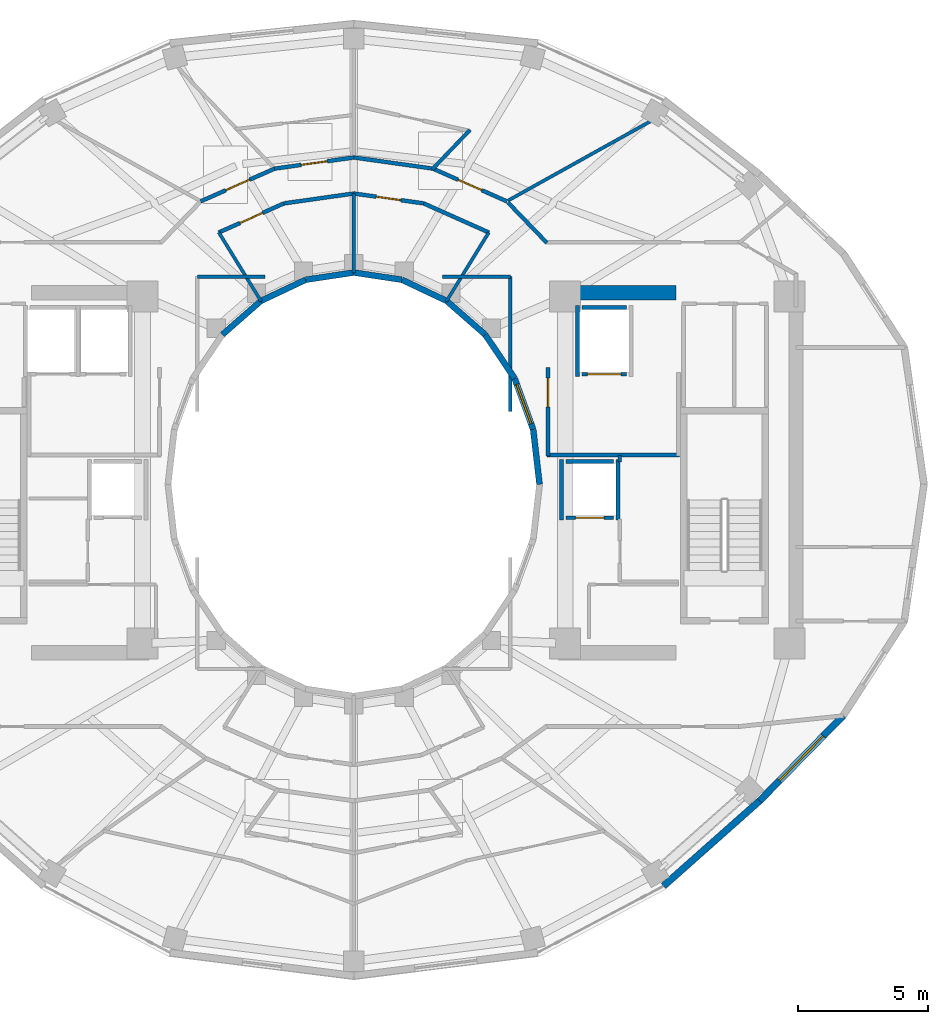
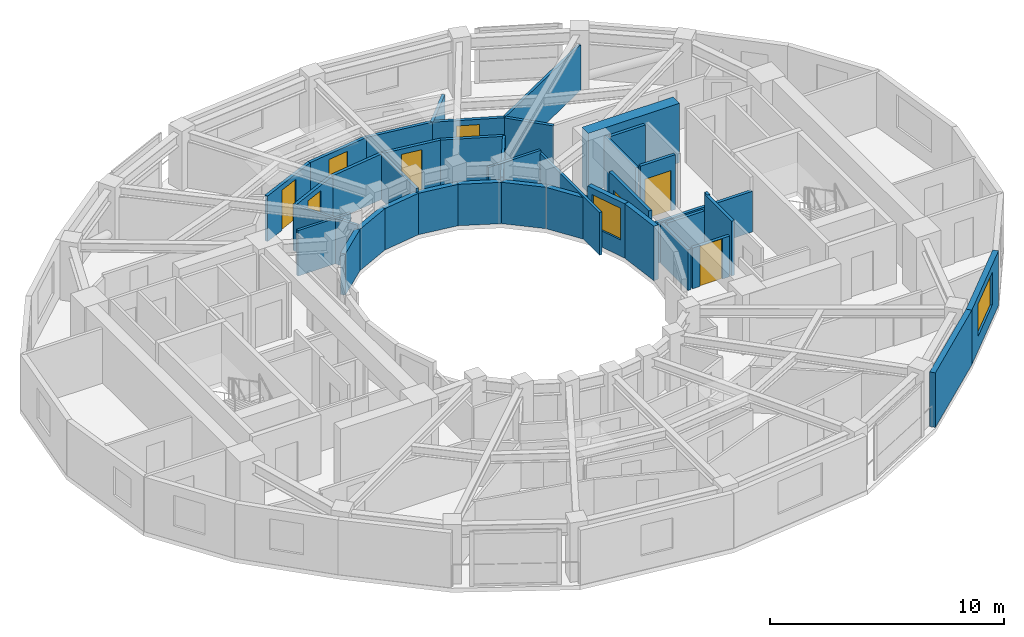
# One storey, part 12 of 16: 39 walls, 8 doors, 2 windows, 10 openings.
"""IFC4 building model written with IfcOpenShell, lengths in metres."""

import ifcopenshell
import ifcopenshell.guid

model = None  # the IFC model being written
_history = None  # IfcOwnerHistory: only IFC2X3 demands one
_inside = {}  # id of a spatial element -> (the spatial element, [elements in it])
_under = {}  # id of a project, library or spatial element -> (it, [spatial elements below it])
_declared = {}  # id of a project -> (the project, [libraries it declares])
_typed = {}  # id of a type object -> (the type object, [elements of that type])
_made_of = {}  # id of a material, layer set ... -> (it, [elements and type objects made of it])


def new_model(schema):
    """Start an empty IFC model of exactly this schema.

    Asked for "IFC4X3", IfcOpenShell would pick the latest addendum, in which some entities
    have other attributes; the version numbers below select the first issue.
    IFC2X3 requires an IfcOwnerHistory on every rooted entity: one is made here for all.
    """
    global model, _history
    if schema == "IFC4X3":
        model = ifcopenshell.file(schema_version=(4, 3, 0, 0))
    else:
        model = ifcopenshell.file(schema=schema)
    _inside.clear()
    _under.clear()
    _declared.clear()
    _typed.clear()
    _made_of.clear()
    _history = None
    if model.schema == "IFC2X3":
        org = make("IfcOrganization", Name="unknown")
        user = make(
            "IfcPersonAndOrganization",
            ThePerson=make("IfcPerson", FamilyName="unknown"),
            TheOrganization=org,
        )
        app = make(
            "IfcApplication",
            ApplicationDeveloper=org,
            Version="unknown",
            ApplicationFullName="unknown",
            ApplicationIdentifier="unknown",
        )
        _history = make(
            "IfcOwnerHistory",
            OwningUser=user,
            OwningApplication=app,
            ChangeAction="ADDED",
            CreationDate=0,
        )
    return model


def make(cls, **values):
    """One entity of the class cls with the attributes given. An attribute that is None is left unset."""
    return model.create_entity(
        cls, **{name: value for name, value in values.items() if value is not None}
    )


def rooted(cls, **values):
    """An entity with a GlobalId (a new one), such as an element, a storey or a relation."""
    return make(cls, GlobalId=ifcopenshell.guid.new(), OwnerHistory=_history, **values)


def si_unit(unit_type, name, prefix=None):
    """IfcSIUnit, for example si_unit("LENGTHUNIT", "METRE", prefix="MILLI")."""
    return make("IfcSIUnit", UnitType=unit_type, Prefix=prefix, Name=name)


def assignment(units):
    """IfcUnitAssignment: the units of a project."""
    return None if units is None else make("IfcUnitAssignment", Units=units)


def point(xyz):
    """IfcCartesianPoint."""
    return None if xyz is None else make("IfcCartesianPoint", Coordinates=xyz)


def direction(xyz):
    """IfcDirection."""
    return None if xyz is None else make("IfcDirection", DirectionRatios=xyz)


def frame(location, z_axis=None, x_axis=None):
    """IfcAxis2Placement3D, a coordinate frame: its origin and axes. An axis left out is left unset."""
    return make(
        "IfcAxis2Placement3D",
        Location=point(location),
        Axis=direction(z_axis),
        RefDirection=direction(x_axis),
    )


def frame_2d(location, x_axis=None):
    """IfcAxis2Placement2D, a coordinate frame in the plane: its origin and x axis."""
    return make(
        "IfcAxis2Placement2D", Location=point(location), RefDirection=direction(x_axis)
    )


def origin():
    """The frame at (0, 0, 0) with its axes left unset."""
    return frame((0.0, 0.0, 0.0))


def place(relative_to, where):
    """IfcLocalPlacement: puts the frame where relative to a parent placement (None: the world)."""
    return make(
        "IfcLocalPlacement", PlacementRelTo=relative_to, RelativePlacement=where
    )


def context(
    kind, dimensions, precision=None, world=None, true_north=None, identifier=None
):
    """IfcGeometricRepresentationContext, for example the 3D "Model" context."""
    return make(
        "IfcGeometricRepresentationContext",
        ContextIdentifier=identifier,
        ContextType=kind,
        CoordinateSpaceDimension=dimensions,
        Precision=precision,
        WorldCoordinateSystem=world,
        TrueNorth=true_north,
    )


def subcontext(parent, identifier, kind, view, scale=None):
    """IfcGeometricRepresentationSubContext, for example "Body" below "Model"."""
    return make(
        "IfcGeometricRepresentationSubContext",
        ContextIdentifier=identifier,
        ContextType=kind,
        ParentContext=parent,
        TargetScale=scale,
        TargetView=view,
    )


def project(units=None, contexts=None):
    """IfcProject with its units and contexts."""
    return rooted(
        "IfcProject",
        Name="project",
        RepresentationContexts=contexts,
        UnitsInContext=assignment(units),
    )


def spatial(cls, under=None, at=None, **own):
    """A site, building, storey or space (cls), placed at a placement, below another one or the project."""
    s = rooted(cls, ObjectPlacement=at, **own)
    if under is not None:
        _under.setdefault(under.id(), (under, []))[1].append(s)
    return s


def profile(cls, at=None, kind="AREA", **sizes):
    """A parametric profile (cls). Its sizes go by their IFC names, for example OverallWidth=200.0."""
    return make(cls, ProfileType=kind, Position=at, **sizes)


def rectangle(**sizes):
    """IfcRectangleProfileDef."""
    return profile("IfcRectangleProfileDef", **sizes)


def extrude(swept, where, along, depth):
    """IfcExtrudedAreaSolid: the profile swept, set in the frame where, extruded along a direction by depth."""
    return make(
        "IfcExtrudedAreaSolid",
        SweptArea=swept,
        Position=where,
        ExtrudedDirection=direction(along),
        Depth=depth,
    )


def shape(context_of_items, identifier, shape_type, items):
    """IfcShapeRepresentation: the items that make up one representation, for example the "Body"."""
    return make(
        "IfcShapeRepresentation",
        ContextOfItems=context_of_items,
        RepresentationIdentifier=identifier,
        RepresentationType=shape_type,
        Items=items,
    )


def material(Name=None, Category=None):
    """IfcMaterial."""
    return make("IfcMaterial", Name=Name, Category=Category)


def layer(
    of_material, thickness, ventilated=None, Name=None, Category=None, Priority=None
):
    """IfcMaterialLayer: one layer of a wall or slab, of a material (None: an air gap)."""
    return make(
        "IfcMaterialLayer",
        Material=of_material,
        LayerThickness=thickness,
        IsVentilated=ventilated,
        Name=Name,
        Category=Category,
        Priority=Priority,
    )


def layer_set(layers, Name=None):
    """IfcMaterialLayerSet."""
    return make("IfcMaterialLayerSet", MaterialLayers=layers, LayerSetName=Name)


def made_of(thing, what):
    """Note that an element or type object is made of a material, layer set ...; save() writes the relation."""
    if what is not None:
        _made_of.setdefault(what.id(), (what, []))[1].append(thing)
    return thing


def type_object(cls, material=None, **own):
    """A type object (cls), such as IfcWallType, which elements share."""
    return made_of(rooted(cls, **own), material)


def element(
    cls,
    number,
    at=None,
    inside=None,
    cuts=None,
    type_object=None,
    material=None,
    context=None,
    identifier="Body",
    shape_type=None,
    held_by="IfcProductDefinitionShape",
    body=None,
    shapes=None,
    **own,
):
    """One element of the class cls, such as IfcWall. Its Tag is "e" and its number.

    at: its placement. inside: the storey or other place that contains it. cuts: it is an
    opening in that element (IfcRelVoidsElement). A single representation is given by context,
    identifier, shape_type and body (its items); several are given by shapes. held_by: the class
    of the entity that holds the representations. save() writes the other relations.
    """
    e = rooted(cls, Tag="e%d" % number, ObjectPlacement=at, **own)
    if body is not None:
        shapes = [shape(context, identifier, shape_type, body)]
    if shapes is not None:
        e.Representation = make(held_by, Representations=shapes)
    if inside is not None:
        _inside.setdefault(inside.id(), (inside, []))[1].append(e)
    if cuts is not None:
        rooted(
            "IfcRelVoidsElement", RelatingBuildingElement=cuts, RelatedOpeningElement=e
        )
    if type_object is not None:
        _typed.setdefault(type_object.id(), (type_object, []))[1].append(e)
    return made_of(e, material)


def fill(opening, filler):
    """IfcRelFillsElement: the door or window that sits in an opening."""
    return rooted(
        "IfcRelFillsElement",
        RelatingOpeningElement=opening,
        RelatedBuildingElement=filler,
    )


def aggregate(whole, parts):
    """IfcRelAggregates: a whole, such as a stair, and the parts it consists of."""
    return rooted("IfcRelAggregates", RelatingObject=whole, RelatedObjects=parts)


def save(model, path):
    """Write the relations noted so far, then the file.

    IfcRelAggregates (storeys below a building ...), IfcRelContainedInSpatialStructure (elements
    in a storey), IfcRelDefinesByType, IfcRelAssociatesMaterial and IfcRelDeclares: one each for
    every whole, place, type object, material and project.
    """
    for whole, parts in _under.values():
        aggregate(whole, parts)
    for where, things in _inside.values():
        rooted(
            "IfcRelContainedInSpatialStructure",
            RelatedElements=things,
            RelatingStructure=where,
        )
    for kind, things in _typed.values():
        rooted("IfcRelDefinesByType", RelatedObjects=things, RelatingType=kind)
    for what, things in _made_of.values():
        rooted("IfcRelAssociatesMaterial", RelatedObjects=things, RelatingMaterial=what)
    for by, libraries in _declared.values():
        rooted("IfcRelDeclares", RelatingContext=by, RelatedDefinitions=libraries)
    model.write(path)


model = new_model("IFC4")

# Units and contexts
model_context = context("Model", 3, precision=1e-05, world=origin(), true_north=direction((0.0, 1.0)))
body_context = subcontext(model_context, "Body", "Model", "MODEL_VIEW")
ifc_project = project(units=[si_unit("LENGTHUNIT", "METRE"), si_unit("AREAUNIT", "SQUARE_METRE"), si_unit("VOLUMEUNIT", "CUBIC_METRE"), si_unit("PLANEANGLEUNIT", "RADIAN"), si_unit("MASSUNIT", "GRAM", prefix="KILO")], contexts=[model_context])

# Site, building, storey
site_placement = place(None, origin())
site = spatial("IfcSite", under=ifc_project, at=site_placement, CompositionType="ELEMENT")
building_placement = place(site_placement, origin())
building = spatial("IfcBuilding", under=site, at=building_placement, Name="Solvane Sanctuary Tower", CompositionType="ELEMENT")
storey_placement = place(building_placement, frame((0.0, 0.0, 226.39990234375)))
storey = spatial("IfcBuildingStorey", under=building, at=storey_placement, Name="L69", CompositionType="ELEMENT", Elevation=226.39990234375)

# Walls
ifc_material_1 = material(Name="Concrete C50/60", Category="concrete")
ifc_layer_1 = layer(ifc_material_1, 0.550048828125, Name="Concrete C50/60")
ifc_layer_set_1 = layer_set([ifc_layer_1], Name="Concrete C50/60")
wall_type_1 = type_object("IfcWallType", Name="Wall W-CORE-550", PredefinedType="SHEAR", material=ifc_layer_set_1)
wall_1_placement = place(storey_placement, frame((39.85009765625, 30.35009765625, 0.0), z_axis=(0.0, 0.0, 1.0), x_axis=(1.0, 0.0, 0.0)))
element("IfcWall", 1, at=wall_1_placement, inside=storey, type_object=wall_type_1, Name="L69 Core Shear Wall EC-N", PredefinedType="SHEAR", context=body_context, shape_type="SweptSolid", body=[
    extrude(rectangle(XDim=4.5, YDim=0.550048828125, at=frame_2d((2.25, 0.0))), origin(), (0.0, 0.0, 1.0), 3.10009765625),
])
ifc_material_2 = material(Name="Acoustic Gypsum Partition Board")
ifc_layer_2 = layer(ifc_material_2, 0.14990234375, Name="Acoustic Gypsum Partition Board")
ifc_layer_set_2 = layer_set([ifc_layer_2], Name="Acoustic Gypsum Partition Board")
wall_type_2 = type_object("IfcWallType", Name="Wall W-CORR-150", PredefinedType="PARTITIONING", material=ifc_layer_set_2)
wall_2_placement = place(storey_placement, frame((39.39990234375, 24.1201171875, 0.0), z_axis=(0.0, 0.0, 1.0), x_axis=(1.0, 0.0, 0.0)))
element("IfcWall", 2, at=wall_2_placement, inside=storey, type_object=wall_type_2, Name="L69 East Firefighting Lobby South Wall", PredefinedType="PARTITIONING", context=body_context, shape_type="SweptSolid", body=[
    extrude(rectangle(XDim=5.080078125, YDim=0.14990234375, at=frame_2d((2.5400390625, 0.0))), origin(), (0.0, 0.0, 1.0), 2.1201171875),
])

# Wall, opening, door
wall_3_placement = place(storey_placement, frame((39.449951171875, 24.080078125, 0.0), z_axis=(0.0, 0.0, 1.0), x_axis=(0.0, 1.0, 0.0)))
wall_3 = element("IfcWall", 3, at=wall_3_placement, inside=storey, type_object=wall_type_2, Name="L69 East Firefighting Lobby West Wall", PredefinedType="PARTITIONING", context=body_context, shape_type="SweptSolid", body=[
    extrude(rectangle(XDim=3.39990234375, YDim=0.14990234375, at=frame_2d((1.699951171875, 0.0))), origin(), (0.0, 0.0, 1.0), 2.85498046875),
])
opening_1_placement = place(wall_3_placement, frame((1.893798828125, 0.0, 0.0)))
opening_1 = element("IfcOpeningElement", 4, at=opening_1_placement, cuts=wall_3, Name="Opening D-L69-04", PredefinedType="OPENING", context=body_context, shape_type="SweptSolid", body=[
    extrude(rectangle(XDim=1.10009765625, YDim=2.10009765625, at=frame_2d((0.550048828125, 1.050048828125))), frame((0.0, 0.0849609375, 0.0), z_axis=(0.0, -1.0, 0.0), x_axis=(1.0, 0.0, 0.0)), (0.0, 0.0, 1.0), 0.169921875),
])
ifc_material_3 = material(Name="Architectural Stainless Steel 316", Category="steel")
door_type_1 = type_object("IfcDoorType", Name="Door D-FFL", OperationType="NOTDEFINED", PredefinedType="DOOR", material=ifc_material_3)
door_1_placement = place(opening_1_placement, origin())
door_1 = element("IfcDoor", 5, at=door_1_placement, inside=storey, type_object=door_type_1, Name="L69 East Firefighting Lobby Fire Door", OperationType="SINGLE_SWING_LEFT", OverallHeight=2.10009765625, OverallWidth=1.10009765625, PredefinedType="DOOR", context=body_context, shape_type="SweptSolid", body=[
    extrude(rectangle(XDim=1.10009765625, YDim=2.10009765625, at=frame_2d((0.550048828125, 1.050048828125))), frame((0.0, 0.02490234375, 0.0), z_axis=(0.0, -1.0, 0.0), x_axis=(1.0, 0.0, 0.0)), (0.0, 0.0, 1.0), 0.050048828125),
])
fill(opening_1, door_1)

# Wall
wall_4_placement = place(storey_placement, frame((37.181396484375, 32.65234375, 0.0), z_axis=(0.0, 0.0, 1.0), x_axis=(-0.913120130558, 0.407690602257, 0.0)))
element("IfcWall", 6, at=wall_4_placement, inside=storey, type_object=wall_type_2, Name="L69 Light-Well Alcove Corridor Wall 1", PredefinedType="PARTITIONING", context=body_context, shape_type="SweptSolid", body=[
    extrude(rectangle(XDim=2.74267578125, YDim=0.14990234375, at=frame_2d((1.371337890625, 0.0))), origin(), (0.0, 0.0, 1.0), 2.3759765625),
])

# Wall, opening, door
wall_5_placement = place(storey_placement, frame((34.680419921875, 33.76953125, 0.0), z_axis=(0.0, 0.0, 1.0), x_axis=(-0.990132151456, 0.140136799779, 0.0)))
wall_5 = element("IfcWall", 7, at=wall_5_placement, inside=storey, type_object=wall_type_2, Name="L69 Light-Well Alcove Corridor Wall 1", PredefinedType="PARTITIONING", context=body_context, shape_type="SweptSolid", body=[
    extrude(rectangle(XDim=2.71435546875, YDim=0.14990234375, at=frame_2d((1.357177734375, 0.0))), origin(), (0.0, 0.0, 1.0), 2.3759765625),
])
opening_2_placement = place(wall_5_placement, frame((0.882080078125, 0.0, 0.0)))
opening_2 = element("IfcOpeningElement", 8, at=opening_2_placement, cuts=wall_5, Name="Opening D-L69-13", PredefinedType="OPENING", context=body_context, shape_type="SweptSolid", body=[
    extrude(rectangle(XDim=0.949951171875, YDim=2.10009765625, at=frame_2d((0.47509765625, 1.050048828125))), frame((0.0, 0.0849609375, 0.0), z_axis=(0.0, -1.0, 0.0), x_axis=(1.0, 0.0, 0.0)), (0.0, 0.0, 1.0), 0.169921875),
])
ifc_material_4 = material(Name="Engineered Tropical Hardwood", Category="wood")
door_type_2 = type_object("IfcDoorType", Name="Door D-ROOM-950", OperationType="NOTDEFINED", PredefinedType="DOOR", material=ifc_material_4)
door_2_placement = place(opening_2_placement, origin())
door_2 = element("IfcDoor", 9, at=door_2_placement, inside=storey, type_object=door_type_2, Name="L69 Light-Well Alcove Door 1", OperationType="SINGLE_SWING_RIGHT", OverallHeight=2.10009765625, OverallWidth=0.949951171875, PredefinedType="DOOR", context=body_context, shape_type="SweptSolid", body=[
    extrude(rectangle(XDim=0.949951171875, YDim=2.10009765625, at=frame_2d((0.47509765625, 1.050048828125))), frame((0.0, 0.02490234375, 0.0), z_axis=(0.0, -1.0, 0.0), x_axis=(1.0, 0.0, 0.0)), (0.0, 0.0, 1.0), 0.050048828125),
])
fill(opening_2, door_2)

# Wall
wall_6_placement = place(storey_placement, frame((32.007080078125, 34.14990234375, 0.0), z_axis=(0.0, 0.0, 1.0), x_axis=(-0.990132151456, -0.140136799779, 0.0)))
element("IfcWall", 10, at=wall_6_placement, inside=storey, type_object=wall_type_2, Name="L69 Light-Well Alcove Corridor Wall 2", PredefinedType="PARTITIONING", context=body_context, shape_type="SweptSolid", body=[
    extrude(rectangle(XDim=2.71435546875, YDim=0.14990234375, at=frame_2d((1.357177734375, 0.0))), origin(), (0.0, 0.0, 1.0), 2.3759765625),
])

# Wall, opening, door
wall_7_placement = place(storey_placement, frame((29.322998046875, 33.7705078125, 0.0), z_axis=(0.0, 0.0, 1.0), x_axis=(-0.913120130558, -0.407690602257, 0.0)))
wall_7 = element("IfcWall", 11, at=wall_7_placement, inside=storey, type_object=wall_type_2, Name="L69 Light-Well Alcove Corridor Wall 2", PredefinedType="PARTITIONING", context=body_context, shape_type="SweptSolid", body=[
    extrude(rectangle(XDim=2.74267578125, YDim=0.14990234375, at=frame_2d((1.371337890625, 0.0))), origin(), (0.0, 0.0, 1.0), 2.3759765625),
])
opening_3_placement = place(wall_7_placement, frame((0.896240234375, 0.0, 0.0)))
opening_3 = element("IfcOpeningElement", 12, at=opening_3_placement, cuts=wall_7, Name="Opening D-L69-14", PredefinedType="OPENING", context=body_context, shape_type="SweptSolid", body=[
    extrude(rectangle(XDim=0.949951171875, YDim=2.10009765625, at=frame_2d((0.47509765625, 1.050048828125))), frame((0.0, 0.0849609375, 0.0), z_axis=(0.0, -1.0, 0.0), x_axis=(1.0, 0.0, 0.0)), (0.0, 0.0, 1.0), 0.169921875),
])
door_3_placement = place(opening_3_placement, origin())
door_3 = element("IfcDoor", 13, at=door_3_placement, inside=storey, type_object=door_type_2, Name="L69 Light-Well Alcove Door 2", OperationType="SINGLE_SWING_LEFT", OverallHeight=2.10009765625, OverallWidth=0.949951171875, PredefinedType="DOOR", context=body_context, shape_type="SweptSolid", body=[
    extrude(rectangle(XDim=0.949951171875, YDim=2.10009765625, at=frame_2d((0.47509765625, 1.050048828125))), frame((0.0, 0.02490234375, 0.0), z_axis=(0.0, -1.0, 0.0), x_axis=(1.0, 0.0, 0.0)), (0.0, 0.0, 1.0), 0.050048828125),
])
fill(opening_3, door_3)

# Walls
wall_8_placement = place(storey_placement, frame((37.9033203125, 33.811767578125, 0.0), z_axis=(0.0, 0.0, 1.0), x_axis=(0.694032962553, -0.719943224768, 0.0)))
element("IfcWall", 14, at=wall_8_placement, inside=storey, type_object=wall_type_2, Name="L69 NE Corner Throat Wall", PredefinedType="PARTITIONING", context=body_context, shape_type="SweptSolid", body=[
    extrude(rectangle(XDim=2.15771484375, YDim=0.14990234375, at=frame_2d((1.078857421875, 0.0))), origin(), (0.0, 0.0, 1.0), 2.3759765625),
])
wall_9_placement = place(storey_placement, frame((35.08544921875, 35.09619140625, 0.0), z_axis=(0.0, 0.0, 1.0), x_axis=(-0.990254086283, 0.139272555084, 0.0)))
element("IfcWall", 15, at=wall_9_placement, inside=storey, type_object=wall_type_2, Name="L69 En-suite Inner Wall N1", PredefinedType="PARTITIONING", context=body_context, shape_type="SweptSolid", body=[
    extrude(rectangle(XDim=3.165771484375, YDim=0.14990234375, at=frame_2d((1.5830078125, 0.0))), origin(), (0.0, 0.0, 1.0), 2.3759765625),
])

# Wall, opening, door
wall_10_placement = place(storey_placement, frame((37.8720703125, 33.846923828125, 0.0), z_axis=(0.0, 0.0, 1.0), x_axis=(-0.914490094652, 0.40460828808, 0.0)))
wall_10 = element("IfcWall", 16, at=wall_10_placement, inside=storey, type_object=wall_type_2, Name="L69 Unit Corridor Wall N1", PredefinedType="PARTITIONING", context=body_context, shape_type="SweptSolid", body=[
    extrude(rectangle(XDim=3.10986328125, YDim=0.14990234375, at=frame_2d((1.554931640625, 0.0))), origin(), (0.0, 0.0, 1.0), 2.3759765625),
])
opening_4_placement = place(wall_10_placement, frame((1.054931640625, 0.0, 0.0)))
opening_4 = element("IfcOpeningElement", 17, at=opening_4_placement, cuts=wall_10, Name="Opening D-L69-27", PredefinedType="OPENING", context=body_context, shape_type="SweptSolid", body=[
    extrude(rectangle(XDim=1.0, YDim=2.10009765625, at=frame_2d((0.5, 1.050048828125))), frame((0.0, 0.0849609375, 0.0), z_axis=(0.0, -1.0, 0.0), x_axis=(1.0, 0.0, 0.0)), (0.0, 0.0, 1.0), 0.169921875),
])
door_type_3 = type_object("IfcDoorType", Name="Door D-UNIT", OperationType="NOTDEFINED", PredefinedType="DOOR", material=ifc_material_4)
door_4_placement = place(opening_4_placement, origin())
door_4 = element("IfcDoor", 18, at=door_4_placement, inside=storey, type_object=door_type_3, Name="L69 Unit Entrance Door N1", OperationType="SINGLE_SWING_RIGHT", OverallHeight=2.10009765625, OverallWidth=1.0, PredefinedType="DOOR", context=body_context, shape_type="SweptSolid", body=[
    extrude(rectangle(XDim=1.0, YDim=2.10009765625, at=frame_2d((0.5, 1.050048828125))), frame((0.0, 0.02490234375, 0.0), z_axis=(0.0, -1.0, 0.0), x_axis=(1.0, 0.0, 0.0)), (0.0, 0.0, 1.0), 0.050048828125),
])
fill(opening_4, door_4)

wall_11_placement = place(storey_placement, frame((32.00830078125, 35.530029296875, 0.0), z_axis=(0.0, 0.0, 1.0), x_axis=(-0.990257602807, -0.139247549651, 0.0)))
wall_11 = element("IfcWall", 19, at=wall_11_placement, inside=storey, type_object=wall_type_2, Name="L69 Unit Corridor Wall N2", PredefinedType="PARTITIONING", context=body_context, shape_type="SweptSolid", body=[
    extrude(rectangle(XDim=3.082275390625, YDim=0.14990234375, at=frame_2d((1.541015625, 0.0))), origin(), (0.0, 0.0, 1.0), 2.3759765625),
])
opening_5_placement = place(wall_11_placement, frame((1.041015625, 0.0, 0.0)))
opening_5 = element("IfcOpeningElement", 20, at=opening_5_placement, cuts=wall_11, Name="Opening D-L69-29", PredefinedType="OPENING", context=body_context, shape_type="SweptSolid", body=[
    extrude(rectangle(XDim=1.0, YDim=2.10009765625, at=frame_2d((0.5, 1.050048828125))), frame((0.0, 0.0849609375, 0.0), z_axis=(0.0, -1.0, 0.0), x_axis=(1.0, 0.0, 0.0)), (0.0, 0.0, 1.0), 0.169921875),
])
door_5_placement = place(opening_5_placement, origin())
door_5 = element("IfcDoor", 21, at=door_5_placement, inside=storey, type_object=door_type_3, Name="L69 Unit Entrance Door N2", OperationType="SINGLE_SWING_RIGHT", OverallHeight=2.10009765625, OverallWidth=1.0, PredefinedType="DOOR", context=body_context, shape_type="SweptSolid", body=[
    extrude(rectangle(XDim=1.0, YDim=2.10009765625, at=frame_2d((0.5, 1.050048828125))), frame((0.0, 0.02490234375, 0.0), z_axis=(0.0, -1.0, 0.0), x_axis=(1.0, 0.0, 0.0)), (0.0, 0.0, 1.0), 0.050048828125),
])
fill(opening_5, door_5)

wall_12_placement = place(storey_placement, frame((28.971923828125, 35.105224609375, 0.0), z_axis=(0.0, 0.0, 1.0), x_axis=(-0.914490094652, -0.40460828808, 0.0)))
wall_12 = element("IfcWall", 22, at=wall_12_placement, inside=storey, type_object=wall_type_2, Name="L69 Unit Corridor Wall N3", PredefinedType="PARTITIONING", context=body_context, shape_type="SweptSolid", body=[
    extrude(rectangle(XDim=3.10986328125, YDim=0.14990234375, at=frame_2d((1.554931640625, 0.0))), origin(), (0.0, 0.0, 1.0), 2.3759765625),
])
opening_6_placement = place(wall_12_placement, frame((1.054931640625, 0.0, 0.0)))
opening_6 = element("IfcOpeningElement", 23, at=opening_6_placement, cuts=wall_12, Name="Opening D-L69-30", PredefinedType="OPENING", context=body_context, shape_type="SweptSolid", body=[
    extrude(rectangle(XDim=1.0, YDim=2.10009765625, at=frame_2d((0.5, 1.050048828125))), frame((0.0, 0.0849609375, 0.0), z_axis=(0.0, -1.0, 0.0), x_axis=(1.0, 0.0, 0.0)), (0.0, 0.0, 1.0), 0.169921875),
])
door_6_placement = place(opening_6_placement, origin())
door_6 = element("IfcDoor", 24, at=door_6_placement, inside=storey, type_object=door_type_3, Name="L69 Unit Entrance Door N3", OperationType="SINGLE_SWING_LEFT", OverallHeight=2.10009765625, OverallWidth=1.0, PredefinedType="DOOR", context=body_context, shape_type="SweptSolid", body=[
    extrude(rectangle(XDim=1.0, YDim=2.10009765625, at=frame_2d((0.5, 1.050048828125))), frame((0.0, 0.02490234375, 0.0), z_axis=(0.0, -1.0, 0.0), x_axis=(1.0, 0.0, 0.0)), (0.0, 0.0, 1.0), 0.050048828125),
])
fill(opening_6, door_6)

# Wall
ifc_material_5 = material(Name="Precast concrete C40/50", Category="concrete")
ifc_layer_3 = layer(ifc_material_5, 0.260009765625, Name="Precast concrete C40/50")
ifc_layer_set_3 = layer_set([ifc_layer_3], Name="Precast concrete C40/50")
wall_type_3 = type_object("IfcWallType", Name="Wall W-EXT-250", PredefinedType="STANDARD", material=ifc_layer_set_3)
wall_13_placement = place(storey_placement, frame((43.8701171875, 7.600830078125, 0.0), z_axis=(0.0, 0.0, 1.0), x_axis=(0.748165854006, 0.663511759428, 0.0)))
element("IfcWall", 25, at=wall_13_placement, inside=storey, type_object=wall_type_3, Name="L69 Ceramic-Printed Facade Wall 20", PredefinedType="STANDARD", context=body_context, shape_type="SweptSolid", body=[
    extrude(rectangle(XDim=4.9287109375, YDim=0.260009765625, at=frame_2d((2.46435546875, 0.0))), origin(), (0.0, 0.0, 1.0), 2.85009765625),
])

# Wall, opening, window
wall_14_placement = place(storey_placement, frame((47.5576171875, 10.87109375, 0.0), z_axis=(0.0, 0.0, 1.0), x_axis=(0.700642973333, 0.713512034881, 0.0)))
wall_14 = element("IfcWall", 26, at=wall_14_placement, inside=storey, type_object=wall_type_3, Name="L69 Ceramic-Printed Facade Wall 21", PredefinedType="STANDARD", context=body_context, shape_type="SweptSolid", body=[
    extrude(rectangle(XDim=4.572021484375, YDim=0.260009765625, at=frame_2d((2.2861328125, 0.0))), origin(), (0.0, 0.0, 1.0), 2.85009765625),
])
opening_7_placement = place(wall_14_placement, frame((1.0859375, 0.0, 0.75)))
opening_7 = element("IfcOpeningElement", 27, at=opening_7_placement, cuts=wall_14, Name="Opening WN-RIB-2400", PredefinedType="OPENING", context=body_context, shape_type="SweptSolid", body=[
    extrude(rectangle(XDim=2.39990234375, YDim=1.699951171875, at=frame_2d((1.199951171875, 0.85009765625))), frame((0.0, 0.139892578125, 0.0), z_axis=(0.0, -1.0, 0.0), x_axis=(1.0, 0.0, 0.0)), (0.0, 0.0, 1.0), 0.280029296875),
])
ifc_material_6 = material(Name="Dark Ceramic-Fritted Low-E Glass", Category="glass")
window_type_1 = type_object("IfcWindowType", Name="Window WN-RIB-2400", PartitioningType="SINGLE_PANEL", PredefinedType="WINDOW", material=ifc_material_6)
window_1_placement = place(opening_7_placement, origin())
window_1 = element("IfcWindow", 28, at=window_1_placement, inside=storey, type_object=window_type_1, Name="L69 Operable Facade Window 21", OverallHeight=1.699951171875, OverallWidth=2.39990234375, PartitioningType="SINGLE_PANEL", PredefinedType="WINDOW", context=body_context, shape_type="SweptSolid", body=[
    extrude(rectangle(XDim=2.39990234375, YDim=1.699951171875, at=frame_2d((1.199951171875, 0.85009765625))), frame((0.0, 0.030029296875, 0.0), z_axis=(0.0, -1.0, 0.0), x_axis=(1.0, 0.0, 0.0)), (0.0, 0.0, 1.0), 0.06005859375),
])
fill(opening_7, window_1)

# Wall
ifc_layer_4 = layer(ifc_material_5, 0.22998046875, Name="Precast concrete C40/50")
ifc_layer_set_4 = layer_set([ifc_layer_4], Name="Precast concrete C40/50")
wall_type_4 = type_object("IfcWallType", Name="Wall W-EXT-SP220", PredefinedType="STANDARD", material=ifc_layer_set_4)
wall_15_placement = place(storey_placement, frame((39.1201171875, 23.0, 0.0), z_axis=(0.0, 0.0, 1.0), x_axis=(-0.114711713601, 0.993398823617, 0.0)))
element("IfcWall", 29, at=wall_15_placement, inside=storey, type_object=wall_type_4, Name="L69 Central Light-Well Wall 00", PredefinedType="STANDARD", context=body_context, shape_type="SweptSolid", body=[
    extrude(rectangle(XDim=2.115478515625, YDim=0.22998046875, at=frame_2d((1.0576171875, 0.0))), origin(), (0.0, 0.0, 1.0), 2.840087890625),
])

# Wall, opening, window
wall_16_placement = place(storey_placement, frame((38.87744140625, 25.1015625, 0.0), z_axis=(0.0, 0.0, 1.0), x_axis=(-0.341423187295, 0.93990968033, 0.0)))
wall_16 = element("IfcWall", 30, at=wall_16_placement, inside=storey, type_object=wall_type_4, Name="L69 Central Light-Well Wall 01", PredefinedType="STANDARD", context=body_context, shape_type="SweptSolid", body=[
    extrude(rectangle(XDim=2.083740234375, YDim=0.22998046875, at=frame_2d((1.0419921875, 0.0))), origin(), (0.0, 0.0, 1.0), 2.840087890625),
])
opening_8_placement = place(wall_16_placement, frame((0.24169921875, 0.0, 0.85009765625)))
opening_8 = element("IfcOpeningElement", 31, at=opening_8_placement, cuts=wall_16, Name="Opening WN-WELL-1600", PredefinedType="OPENING", context=body_context, shape_type="SweptSolid", body=[
    extrude(rectangle(XDim=1.60009765625, YDim=1.64990234375, at=frame_2d((0.800048828125, 0.824951171875))), frame((0.0, 0.125, 0.0), z_axis=(0.0, -1.0, 0.0), x_axis=(1.0, 0.0, 0.0)), (0.0, 0.0, 1.0), 0.25),
])
ifc_material_7 = material(Name="Clear Laminated Light-Well Glass", Category="glass")
window_type_2 = type_object("IfcWindowType", Name="Window WN-WELL-1600", PartitioningType="SINGLE_PANEL", PredefinedType="WINDOW", material=ifc_material_7)
window_2_placement = place(opening_8_placement, origin())
window_2 = element("IfcWindow", 32, at=window_2_placement, inside=storey, type_object=window_type_2, Name="L69 Light-Well Daylight Window 01", OverallHeight=1.64990234375, OverallWidth=1.60009765625, PartitioningType="SINGLE_PANEL", PredefinedType="WINDOW", context=body_context, shape_type="SweptSolid", body=[
    extrude(rectangle(XDim=1.60009765625, YDim=1.64990234375, at=frame_2d((0.800048828125, 0.824951171875))), frame((0.0, 0.030029296875, 0.0), z_axis=(0.0, -1.0, 0.0), x_axis=(1.0, 0.0, 0.0)), (0.0, 0.0, 1.0), 0.06005859375),
])
fill(opening_8, window_2)

# Walls
wall_17_placement = place(storey_placement, frame((38.166015625, 27.06005859375, 0.0), z_axis=(0.0, 0.0, 1.0), x_axis=(-0.558197800898, 0.829707909492, 0.0)))
element("IfcWall", 33, at=wall_17_placement, inside=storey, type_object=wall_type_4, Name="L69 Central Light-Well Wall 02", PredefinedType="STANDARD", context=body_context, shape_type="SweptSolid", body=[
    extrude(rectangle(XDim=2.02685546875, YDim=0.22998046875, at=frame_2d((1.013427734375, 0.0))), origin(), (0.0, 0.0, 1.0), 2.16015625),
])
wall_18_placement = place(storey_placement, frame((37.03466796875, 28.74169921875, 0.0), z_axis=(0.0, 0.0, 1.0), x_axis=(-0.752576694707, 0.658504607869, 0.0)))
element("IfcWall", 34, at=wall_18_placement, inside=storey, type_object=wall_type_4, Name="L69 Central Light-Well Wall 03", PredefinedType="STANDARD", context=body_context, shape_type="SweptSolid", body=[
    extrude(rectangle(XDim=1.95947265625, YDim=0.22998046875, at=frame_2d((0.979736328125, 0.0))), origin(), (0.0, 0.0, 1.0), 2.16015625),
])
wall_19_placement = place(storey_placement, frame((35.56005859375, 30.031982421875, 0.0), z_axis=(0.0, 0.0, 1.0), x_axis=(-0.904179699603, 0.427152280606, 0.0)))
element("IfcWall", 35, at=wall_19_placement, inside=storey, type_object=wall_type_4, Name="L69 Central Light-Well Wall 04", PredefinedType="STANDARD", context=body_context, shape_type="SweptSolid", body=[
    extrude(rectangle(XDim=1.899169921875, YDim=0.22998046875, at=frame_2d((0.94970703125, 0.0))), origin(), (0.0, 0.0, 1.0), 2.16015625),
])
for number, where, z_axis, x_axis, name in (
    (36, (33.8427734375, 30.84326171875, 0.0), (0.0, 0.0, 1.0), (-0.988901730308, 0.148571086668, 0.0), "L69 Central Light-Well Wall 05"),
    (37, (32.0, 31.1201171875, 0.0), (0.0, 0.0, 1.0), (-0.988901730308, -0.148571086668, 0.0), "L69 Central Light-Well Wall 06"),
):
    element("IfcWall", number, at=place(storey_placement, frame(where, z_axis=z_axis, x_axis=x_axis)), inside=storey, type_object=wall_type_4, Name=name, PredefinedType="STANDARD", context=body_context, shape_type="SweptSolid", body=[
        extrude(rectangle(XDim=1.863525390625, YDim=0.22998046875, at=frame_2d((0.931640625, 0.0))), origin(), (0.0, 0.0, 1.0), 2.16015625),
    ])
wall_20_placement = place(storey_placement, frame((30.1572265625, 30.84326171875, 0.0), z_axis=(0.0, 0.0, 1.0), x_axis=(-0.904179699603, -0.427152280606, 0.0)))
element("IfcWall", 38, at=wall_20_placement, inside=storey, type_object=wall_type_4, Name="L69 Central Light-Well Wall 07", PredefinedType="STANDARD", context=body_context, shape_type="SweptSolid", body=[
    extrude(rectangle(XDim=1.899169921875, YDim=0.22998046875, at=frame_2d((0.94970703125, 0.0))), origin(), (0.0, 0.0, 1.0), 2.16015625),
])
wall_21_placement = place(storey_placement, frame((28.43994140625, 30.031982421875, 0.0), z_axis=(0.0, 0.0, 1.0), x_axis=(-0.752576694707, -0.658504607869, 0.0)))
element("IfcWall", 39, at=wall_21_placement, inside=storey, type_object=wall_type_4, Name="L69 Central Light-Well Wall 08", PredefinedType="STANDARD", context=body_context, shape_type="SweptSolid", body=[
    extrude(rectangle(XDim=1.95947265625, YDim=0.22998046875, at=frame_2d((0.979736328125, 0.0))), origin(), (0.0, 0.0, 1.0), 2.16015625),
])
ifc_layer_5 = layer(ifc_material_2, 0.125, Name="Acoustic Gypsum Partition Board")
ifc_layer_set_5 = layer_set([ifc_layer_5], Name="Acoustic Gypsum Partition Board")
wall_type_5 = type_object("IfcWallType", Name="Wall W-PART-125", PredefinedType="PARTITIONING", material=ifc_layer_set_5)
wall_22_placement = place(storey_placement, frame((42.199951171875, 23.85009765625, 0.0), z_axis=(0.0, 0.0, 1.0), x_axis=(0.0, 1.0, 0.0)))
element("IfcWall", 40, at=wall_22_placement, inside=storey, type_object=wall_type_5, Name="L69 Reclaimed Room Dividing Wall PME", PredefinedType="PARTITIONING", context=body_context, shape_type="SweptSolid", body=[
    extrude(rectangle(XDim=0.25, YDim=0.125, at=frame_2d((0.125, 0.0))), origin(), (0.0, 0.0, 1.0), 2.85498046875),
])
wall_23_placement = place(storey_placement, frame((35.550048828125, 30.014892578125, 0.0), z_axis=(0.0, 0.0, 1.0), x_axis=(0.523992004803, 0.851723182086, 0.0)))
element("IfcWall", 41, at=wall_23_placement, inside=storey, type_object=wall_type_5, Name="L69 Light-Well Alcove Radial Wall 60", PredefinedType="PARTITIONING", context=body_context, shape_type="SweptSolid", body=[
    extrude(rectangle(XDim=3.10107421875, YDim=0.125, at=frame_2d((1.550537109375, 0.0))), origin(), (0.0, 0.0, 1.0), 2.3759765625),
])
wall_24_placement = place(storey_placement, frame((32.0, 31.10009765625, 0.0), z_axis=(0.0, 0.0, 1.0), x_axis=(0.0, 1.0, 0.0)))
element("IfcWall", 42, at=wall_24_placement, inside=storey, type_object=wall_type_5, Name="L69 Light-Well Alcove Radial Wall 90", PredefinedType="PARTITIONING", context=body_context, shape_type="SweptSolid", body=[
    extrude(rectangle(XDim=3.0498046875, YDim=0.125, at=frame_2d((1.52490234375, 0.0))), origin(), (0.0, 0.0, 1.0), 2.3759765625),
])
wall_25_placement = place(storey_placement, frame((28.449951171875, 30.014892578125, 0.0), z_axis=(0.0, 0.0, 1.0), x_axis=(-0.523992004803, 0.851723182086, 0.0)))
element("IfcWall", 43, at=wall_25_placement, inside=storey, type_object=wall_type_5, Name="L69 Light-Well Alcove Radial Wall 120", PredefinedType="PARTITIONING", context=body_context, shape_type="SweptSolid", body=[
    extrude(rectangle(XDim=3.10107421875, YDim=0.125, at=frame_2d((1.550537109375, 0.0))), origin(), (0.0, 0.0, 1.0), 2.3759765625),
])
wall_26_placement = place(storey_placement, frame((26.0, 30.9599609375, 0.0), z_axis=(0.0, 0.0, 1.0), x_axis=(1.0, 0.0, 0.0)))
element("IfcWall", 44, at=wall_26_placement, inside=storey, type_object=wall_type_5, Name="L69 Bridge Alcove Wall 2", PredefinedType="PARTITIONING", context=body_context, shape_type="SweptSolid", body=[
    extrude(rectangle(XDim=2.60009765625, YDim=0.125, at=frame_2d((1.300048828125, 0.0))), origin(), (0.0, 0.0, 1.0), 2.3759765625),
])
wall_27_placement = place(storey_placement, frame((38.0, 25.800048828125, 0.0), z_axis=(0.0, 0.0, 1.0), x_axis=(0.0, 1.0, 0.0)))
element("IfcWall", 45, at=wall_27_placement, inside=storey, type_object=wall_type_5, Name="L69 Bridge Alcove Wall 3", PredefinedType="PARTITIONING", context=body_context, shape_type="SweptSolid", body=[
    extrude(rectangle(XDim=5.159912109375, YDim=0.125, at=frame_2d((2.580078125, 0.0))), origin(), (0.0, 0.0, 1.0), 2.232177734375),
])
wall_28_placement = place(storey_placement, frame((35.39990234375, 30.9599609375, 0.0), z_axis=(0.0, 0.0, 1.0), x_axis=(1.0, 0.0, 0.0)))
element("IfcWall", 46, at=wall_28_placement, inside=storey, type_object=wall_type_5, Name="L69 Bridge Alcove Wall 4", PredefinedType="PARTITIONING", context=body_context, shape_type="SweptSolid", body=[
    extrude(rectangle(XDim=2.60009765625, YDim=0.125, at=frame_2d((1.300048828125, 0.0))), origin(), (0.0, 0.0, 1.0), 2.3759765625),
])
wall_29_placement = place(storey_placement, frame((37.9130859375, 33.8779296875, 0.0), z_axis=(0.0, 0.0, 1.0), x_axis=(0.87377679808, 0.486327160599, 0.0)))
element("IfcWall", 47, at=wall_29_placement, inside=storey, type_object=wall_type_5, Name="L69 Radial Compartment Wall 060", PredefinedType="PARTITIONING", context=body_context, shape_type="SweptSolid", body=[
    extrude(rectangle(XDim=6.239501953125, YDim=0.125, at=frame_2d((3.11962890625, 0.0))), origin(), (0.0, 0.0, 1.0), 2.3759765625),
])

# Wall, opening, door
ifc_layer_6 = layer(ifc_material_1, 0.14990234375, Name="Concrete C50/60")
ifc_layer_set_6 = layer_set([ifc_layer_6], Name="Concrete C50/60")
wall_type_6 = type_object("IfcWallType", Name="Wall W-SHAFT-150", PredefinedType="SOLIDWALL", material=ifc_layer_set_6)
wall_30_placement = place(storey_placement, frame((40.139892578125, 21.719970703125, 0.0), z_axis=(0.0, 0.0, 1.0), x_axis=(1.0, 0.0, 0.0)))
wall_30 = element("IfcWall", 48, at=wall_30_placement, inside=storey, type_object=wall_type_6, Name="L69 PH-2 Lift Shaft Wall F", PredefinedType="SOLIDWALL", context=body_context, shape_type="SweptSolid", body=[
    extrude(rectangle(XDim=1.820068359375, YDim=0.14990234375, at=frame_2d((0.91015625, 0.0))), origin(), (0.0, 0.0, 1.0), 2.1201171875),
])
opening_9_placement = place(wall_30_placement, frame((0.360107421875, 0.0, 0.0)))
opening_9 = element("IfcOpeningElement", 49, at=opening_9_placement, cuts=wall_30, Name="Opening LD-L69-02", PredefinedType="OPENING", context=body_context, shape_type="SweptSolid", body=[
    extrude(rectangle(XDim=1.10009765625, YDim=2.10009765625, at=frame_2d((0.550048828125, 1.050048828125))), frame((0.0, 0.0849609375, 0.0), z_axis=(0.0, -1.0, 0.0), x_axis=(1.0, 0.0, 0.0)), (0.0, 0.0, 1.0), 0.169921875),
])
door_type_4 = type_object("IfcDoorType", Name="Door LD-PASS-1100", OperationType="NOTDEFINED", PredefinedType="DOOR", material=ifc_material_3)
door_7_placement = place(opening_9_placement, origin())
door_7 = element("IfcDoor", 50, at=door_7_placement, inside=storey, type_object=door_type_4, Name="L69 PH-2 Lift Landing Door", OperationType="DOUBLE_DOOR_SLIDING", OverallHeight=2.10009765625, OverallWidth=1.10009765625, PredefinedType="DOOR", context=body_context, shape_type="SweptSolid", body=[
    extrude(rectangle(XDim=1.10009765625, YDim=2.10009765625, at=frame_2d((0.550048828125, 1.050048828125))), frame((0.0, 0.02490234375, 0.0), z_axis=(0.0, -1.0, 0.0), x_axis=(1.0, 0.0, 0.0)), (0.0, 0.0, 1.0), 0.050048828125),
])
fill(opening_9, door_7)

# Walls
wall_31_placement = place(storey_placement, frame((40.139892578125, 23.8798828125, 0.0), z_axis=(0.0, 0.0, 1.0), x_axis=(1.0, 0.0, 0.0)))
element("IfcWall", 51, at=wall_31_placement, inside=storey, type_object=wall_type_6, Name="L69 PH-2 Lift Shaft Wall B", PredefinedType="SOLIDWALL", context=body_context, shape_type="SweptSolid", body=[
    extrude(rectangle(XDim=1.820068359375, YDim=0.14990234375, at=frame_2d((0.91015625, 0.0))), origin(), (0.0, 0.0, 1.0), 2.1201171875),
])
wall_32_placement = place(storey_placement, frame((39.969970703125, 21.639892578125, 0.0), z_axis=(0.0, 0.0, 1.0), x_axis=(0.0, 1.0, 0.0)))
element("IfcWall", 52, at=wall_32_placement, inside=storey, type_object=wall_type_6, Name="L69 PH-2 Lift Shaft Wall S1", PredefinedType="SOLIDWALL", context=body_context, shape_type="SweptSolid", body=[
    extrude(rectangle(XDim=2.320068359375, YDim=0.14990234375, at=frame_2d((1.16015625, 0.0))), origin(), (0.0, 0.0, 1.0), 2.1201171875),
])
wall_33_placement = place(storey_placement, frame((42.1298828125, 21.639892578125, 0.0), z_axis=(0.0, 0.0, 1.0), x_axis=(0.0, 1.0, 0.0)))
element("IfcWall", 53, at=wall_33_placement, inside=storey, type_object=wall_type_6, Name="L69 PH-2 Lift Shaft Wall S2", PredefinedType="SOLIDWALL", context=body_context, shape_type="SweptSolid", body=[
    extrude(rectangle(XDim=2.320068359375, YDim=0.14990234375, at=frame_2d((1.16015625, 0.0))), origin(), (0.0, 0.0, 1.0), 2.85498046875),
])

# Wall, opening, door
wall_34_placement = place(storey_placement, frame((40.739990234375, 27.219970703125, 0.0), z_axis=(0.0, 0.0, 1.0), x_axis=(1.0, 0.0, 0.0)))
wall_34 = element("IfcWall", 54, at=wall_34_placement, inside=storey, type_object=wall_type_6, Name="L69 FFL-2 Lift Shaft Wall F", PredefinedType="SOLIDWALL", context=body_context, shape_type="SweptSolid", body=[
    extrude(rectangle(XDim=1.719970703125, YDim=0.14990234375, at=frame_2d((0.85986328125, 0.0))), origin(), (0.0, 0.0, 1.0), 2.85498046875),
])
opening_10_placement = place(wall_34_placement, frame((0.2099609375, 0.0, 0.0)))
opening_10 = element("IfcOpeningElement", 55, at=opening_10_placement, cuts=wall_34, Name="Opening LD-L69-05", PredefinedType="OPENING", context=body_context, shape_type="SweptSolid", body=[
    extrude(rectangle(XDim=1.300048828125, YDim=2.10009765625, at=frame_2d((0.64990234375, 1.050048828125))), frame((0.0, 0.0849609375, 0.0), z_axis=(0.0, -1.0, 0.0), x_axis=(1.0, 0.0, 0.0)), (0.0, 0.0, 1.0), 0.169921875),
])
door_type_5 = type_object("IfcDoorType", Name="Door LD-FFL-1300", OperationType="NOTDEFINED", PredefinedType="DOOR", material=ifc_material_3)
door_8_placement = place(opening_10_placement, origin())
door_8 = element("IfcDoor", 56, at=door_8_placement, inside=storey, type_object=door_type_5, Name="L69 FFL-2 Lift Landing Door", OperationType="DOUBLE_DOOR_SLIDING", OverallHeight=2.10009765625, OverallWidth=1.300048828125, PredefinedType="DOOR", context=body_context, shape_type="SweptSolid", body=[
    extrude(rectangle(XDim=1.300048828125, YDim=2.10009765625, at=frame_2d((0.64990234375, 1.050048828125))), frame((0.0, 0.02490234375, 0.0), z_axis=(0.0, -1.0, 0.0), x_axis=(1.0, 0.0, 0.0)), (0.0, 0.0, 1.0), 0.050048828125),
])
fill(opening_10, door_8)

# Walls
wall_35_placement = place(storey_placement, frame((40.739990234375, 29.780029296875, 0.0), z_axis=(0.0, 0.0, 1.0), x_axis=(1.0, 0.0, 0.0)))
element("IfcWall", 57, at=wall_35_placement, inside=storey, type_object=wall_type_6, Name="L69 FFL-2 Lift Shaft Wall B", PredefinedType="SOLIDWALL", context=body_context, shape_type="SweptSolid", body=[
    extrude(rectangle(XDim=1.719970703125, YDim=0.14990234375, at=frame_2d((0.85986328125, 0.0))), origin(), (0.0, 0.0, 1.0), 2.85498046875),
])
wall_36_placement = place(storey_placement, frame((40.570068359375, 27.139892578125, 0.0), z_axis=(0.0, 0.0, 1.0), x_axis=(0.0, 1.0, 0.0)))
element("IfcWall", 58, at=wall_36_placement, inside=storey, type_object=wall_type_6, Name="L69 FFL-2 Lift Shaft Wall S1", PredefinedType="SOLIDWALL", context=body_context, shape_type="SweptSolid", body=[
    extrude(rectangle(XDim=2.72021484375, YDim=0.14990234375, at=frame_2d((1.360107421875, 0.0))), origin(), (0.0, 0.0, 1.0), 2.85498046875),
])
ifc_layer_7 = layer(ifc_material_2, 0.139892578125, Name="Acoustic Gypsum Partition Board")
ifc_layer_set_7 = layer_set([ifc_layer_7], Name="Acoustic Gypsum Partition Board")
wall_type_7 = type_object("IfcWallType", Name="Wall W-WET-140", PredefinedType="PLUMBINGWALL", material=ifc_layer_set_7)
wall_37_placement = place(storey_placement, frame((35.001220703125, 35.06689453125, 0.0), z_axis=(0.0, 0.0, 1.0), x_axis=(0.691180416361, 0.722682248321, 0.0)))
element("IfcWall", 59, at=wall_37_placement, inside=storey, type_object=wall_type_7, Name="L69 En-suite Side Partition N1", PredefinedType="PLUMBINGWALL", context=body_context, shape_type="SweptSolid", body=[
    extrude(rectangle(XDim=2.100341796875, YDim=0.139892578125, at=frame_2d((1.05029296875, 0.0))), origin(), (0.0, 0.0, 1.0), 2.385009765625),
])

save(model, "model.ifc")
